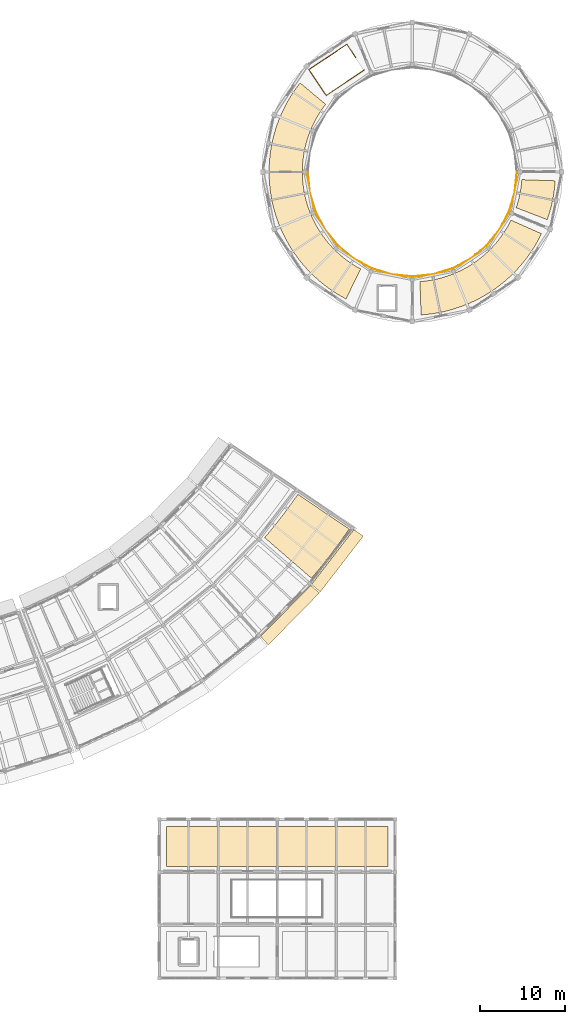
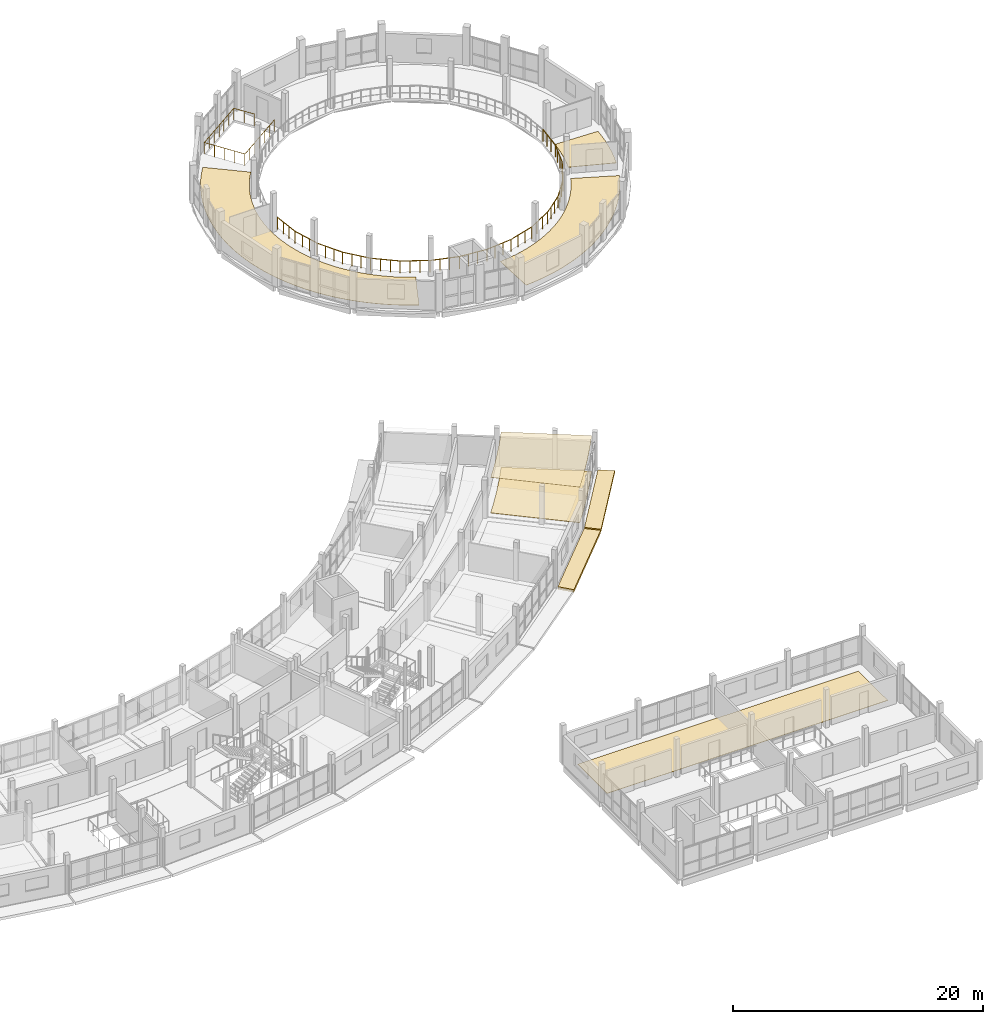
# One storey, part 76 of 77: 8 coverings, 2 railings.
"""IFC4 building model written with IfcOpenShell, lengths in metres."""

from ifc_helpers import new_model, si_unit, direction, frame, origin, origin_2d, place, context, subcontext, project, spatial, polyline, circle, outline, extrude, material, layer, layer_set, type_object, element, save


model = new_model("IFC4")

# Units and contexts
model_context = context("Model", 3, precision=1e-05, world=origin(), true_north=direction((0.0, 1.0)))
body_context = subcontext(model_context, "Body", "Model", "MODEL_VIEW")
ifc_project = project(units=[si_unit("LENGTHUNIT", "METRE"), si_unit("AREAUNIT", "SQUARE_METRE"), si_unit("VOLUMEUNIT", "CUBIC_METRE"), si_unit("PLANEANGLEUNIT", "RADIAN"), si_unit("MASSUNIT", "GRAM", prefix="KILO")], contexts=[model_context])

# Site, building, storey
site_placement = place(None, origin())
site = spatial("IfcSite", under=ifc_project, at=site_placement, CompositionType="ELEMENT")
building_placement = place(site_placement, origin())
building = spatial("IfcBuilding", under=site, at=building_placement, Name="Caldaven Crescent School", CompositionType="ELEMENT")
storey_placement = place(building_placement, frame((0.0, 0.0, 4.419921875)))
storey = spatial("IfcBuildingStorey", under=building, at=storey_placement, Name="L01", CompositionType="ELEMENT", Elevation=4.419921875)

# Coverings
ifc_material_1 = material(Name="White architectural GFRC precast concrete C35/45 cladding", Category="concrete")
ifc_layer_1 = layer(ifc_material_1, 0.260009765625)
ifc_layer_set_1 = layer_set([ifc_layer_1], Name="White architectural GFRC precast concrete C35/45 cladding")
covering_type_1 = type_object("IfcCoveringType", Name="COV-CLD2", PredefinedType="CLADDING", material=ifc_layer_set_1)
covering_1_placement = place(storey_placement, frame((0.0, 0.0, -0.260009765625)))
element("IfcCovering", 1, at=covering_1_placement, inside=storey, type_object=covering_type_1, Name="CLD-OUT-L01-030", PredefinedType="CLADDING", context=body_context, shape_type="SweptSolid", body=[
    extrude(outline(polyline([(134.759521484375, 44.177490234375), (140.630859375, 50.15185546875), (141.648681640625, 49.26513671875), (135.6640625, 43.175048828125), (134.759521484375, 44.177490234375)])), origin(), (0.0, 0.0, 1.0), 0.260009765625),
])
covering_2_placement = place(storey_placement, frame((0.0, 0.0, -0.260009765625)))
element("IfcCovering", 2, at=covering_2_placement, inside=storey, type_object=covering_type_1, Name="CLD-OUT-L01-032", PredefinedType="CLADDING", context=body_context, shape_type="SweptSolid", body=[
    extrude(outline(polyline([(140.7265625, 50.26220703125), (145.665283203125, 56.671142578125), (146.780517578125, 55.910400390625), (141.746337890625, 49.377685546875), (140.7265625, 50.26220703125)])), origin(), (0.0, 0.0, 1.0), 0.260009765625),
])
ifc_material_2 = material(Name="Perforated Pino Radiata acoustic timber baffle ceiling", Category="wood")
ifc_layer_2 = layer(ifc_material_2, 0.030029296875)
ifc_layer_set_2 = layer_set([ifc_layer_2], Name="Perforated Pino Radiata acoustic timber baffle ceiling")
covering_type_2 = type_object("IfcCoveringType", Name="COV-CLG1", PredefinedType="CEILING", material=ifc_layer_set_2)
covering_3_placement = place(storey_placement, frame((0.0, 0.0, 3.4599609375)))
element("IfcCovering", 3, at=covering_3_placement, inside=storey, type_object=covering_type_2, Name="CLG-L01-140", PredefinedType="CEILING", context=body_context, shape_type="SweptSolid", body=[
    extrude(outline(polyline([(136.107421875, 56.778076171875), (136.11572265625, 56.788330078125), (137.2392578125, 58.208984375), (137.247314453125, 58.219482421875), (138.328857421875, 59.672607421875), (138.33642578125, 59.68310546875), (139.12060546875, 60.80419921875), (145.1298828125, 56.730712890625), (144.2197265625, 55.429443359375), (143.003173828125, 53.794677734375), (141.739013671875, 52.1962890625), (140.7177734375, 50.980224609375), (135.227783203125, 55.730712890625), (136.107421875, 56.778076171875)])), origin(), (0.0, 0.0, 1.0), 0.030029296875),
])
ifc_material_3 = material(Name="Polished terrazzo and acoustic linoleum flooring")
ifc_layer_3 = layer(ifc_material_3, 0.02001953125)
ifc_layer_set_3 = layer_set([ifc_layer_3], Name="Polished terrazzo and acoustic linoleum flooring")
covering_type_3 = type_object("IfcCoveringType", Name="COV-FLR1", PredefinedType="FLOORING", material=ifc_layer_set_3)
covering_4_placement = place(storey_placement, origin())
element("IfcCovering", 4, at=covering_4_placement, inside=storey, type_object=covering_type_3, Name="FLR-L01-012", PredefinedType="FLOORING", context=body_context, shape_type="SweptSolid", body=[
    extrude(outline(polyline([(142.373291015625, 106.409912109375), (142.369384765625, 106.405029296875), (142.10888671875, 106.059326171875), (142.099609375, 106.046630859375), (141.851318359375, 105.692138671875), (141.842529296875, 105.67919921875), (141.606689453125, 105.316162109375), (141.598388671875, 105.302734375), (141.37548828125, 104.931884765625), (141.36767578125, 104.918212890625), (141.15771484375, 104.53955078125), (141.150390625, 104.525634765625), (140.9541015625, 104.139892578125), (140.947265625, 104.1259765625), (140.76416015625, 103.733642578125), (140.7578125, 103.71923828125), (140.588623046875, 103.32080078125), (140.582763671875, 103.306396484375), (140.427734375, 102.90234375), (140.42236328125, 102.8876953125), (140.281494140625, 102.478271484375), (140.276611328125, 102.46337890625), (140.150146484375, 102.04931640625), (140.145751953125, 102.034423828125), (140.03369140625, 101.6162109375), (140.02978515625, 101.60107421875), (139.9326171875, 101.17919921875), (139.92919921875, 101.1640625), (139.8466796875, 100.739013671875), (139.843994140625, 100.7236328125), (139.776123046875, 100.296142578125), (139.774169921875, 100.280517578125), (139.72119140625, 99.85107421875), (139.719482421875, 99.83544921875), (139.681884765625, 99.404296875), (139.680908203125, 99.388427734375), (139.658203125, 98.956298828125), (139.65771484375, 98.940673828125), (139.650146484375, 98.5078125), (139.650146484375, 98.4921875), (139.65771484375, 98.059326171875), (139.658203125, 98.043701171875), (139.680908203125, 97.611572265625), (139.681884765625, 97.595703125), (139.719482421875, 97.16455078125), (139.72119140625, 97.14892578125), (139.774169921875, 96.719482421875), (139.776123046875, 96.703857421875), (139.843994140625, 96.2763671875), (139.8466796875, 96.260986328125), (139.92919921875, 95.8359375), (139.9326171875, 95.82080078125), (140.02978515625, 95.39892578125), (140.03369140625, 95.3837890625), (140.145751953125, 94.965576171875), (140.150146484375, 94.95068359375), (140.276611328125, 94.53662109375), (140.281494140625, 94.521728515625), (140.42236328125, 94.1123046875), (140.427734375, 94.09765625), (140.582763671875, 93.693603515625), (140.588623046875, 93.67919921875), (140.7578125, 93.28076171875), (140.76416015625, 93.266357421875), (140.947265625, 92.8740234375), (140.9541015625, 92.860107421875), (141.150390625, 92.474365234375), (141.15771484375, 92.46044921875), (141.36767578125, 92.081787109375), (141.37548828125, 92.068115234375), (141.598388671875, 91.697265625), (141.606689453125, 91.683837890625), (141.842529296875, 91.32080078125), (141.851318359375, 91.307861328125), (142.099609375, 90.953369140625), (142.10888671875, 90.940673828125), (142.369384765625, 90.594970703125), (142.37890625, 90.582763671875), (142.651123046875, 90.246337890625), (142.661376953125, 90.234130859375), (142.9453125, 89.907470703125), (142.955810546875, 89.89599609375), (143.251220703125, 89.579345703125), (143.261962890625, 89.568115234375), (143.568115234375, 89.261962890625), (143.579345703125, 89.251220703125), (143.89599609375, 88.955810546875), (143.907470703125, 88.9453125), (144.234130859375, 88.661376953125), (144.246337890625, 88.651123046875), (144.582763671875, 88.37890625), (144.594970703125, 88.369384765625), (144.940673828125, 88.10888671875), (144.953369140625, 88.099609375), (145.307861328125, 87.851318359375), (145.32080078125, 87.842529296875), (145.683837890625, 87.606689453125), (145.697265625, 87.598388671875), (146.068115234375, 87.37548828125), (146.081787109375, 87.36767578125), (146.46044921875, 87.157958984375), (146.466064453125, 87.155029296875), (144.75634765625, 83.649658203125), (144.636474609375, 83.710693359375), (144.125, 83.994140625), (143.623779296875, 84.29541015625), (143.133544921875, 84.61376953125), (142.654541015625, 84.948974609375), (142.187744140625, 85.30078125), (141.7333984375, 85.668701171875), (141.292236328125, 86.052490234375), (140.864501953125, 86.451171875), (140.451171875, 86.864501953125), (140.052490234375, 87.292236328125), (139.668701171875, 87.7333984375), (139.30078125, 88.187744140625), (138.948974609375, 88.654541015625), (138.61376953125, 89.133544921875), (138.29541015625, 89.623779296875), (137.994140625, 90.125), (137.710693359375, 90.636474609375), (137.4453125, 91.1572265625), (137.1982421875, 91.687255859375), (136.9697265625, 92.225341796875), (136.76025390625, 92.771240234375), (136.56982421875, 93.323974609375), (136.39892578125, 93.883056640625), (136.24755859375, 94.44775390625), (136.1162109375, 95.017578125), (136.00439453125, 95.591552734375), (135.9130859375, 96.168701171875), (135.841796875, 96.7490234375), (135.791015625, 97.33154296875), (135.76025390625, 97.915283203125), (135.75, 98.5), (135.76025390625, 99.084716796875), (135.791015625, 99.66845703125), (135.841796875, 100.2509765625), (135.9130859375, 100.831298828125), (136.00439453125, 101.408447265625), (136.1162109375, 101.982421875), (136.24755859375, 102.55224609375), (136.39892578125, 103.116943359375), (136.56982421875, 103.676025390625), (136.76025390625, 104.228759765625), (136.9697265625, 104.774658203125), (137.1982421875, 105.312744140625), (137.4453125, 105.8427734375), (137.710693359375, 106.363525390625), (137.994140625, 106.875), (138.29541015625, 107.376220703125), (138.61376953125, 107.866455078125), (138.948974609375, 108.345458984375), (139.30078125, 108.812255859375), (139.385498046875, 108.9169921875), (142.373291015625, 106.409912109375)])), origin(), (0.0, 0.0, 1.0), 0.02001953125),
])
ifc_layer_4 = layer(ifc_material_3, 0.02587890625)
ifc_layer_set_4 = layer_set([ifc_layer_4], Name="Polished terrazzo and acoustic linoleum flooring")
covering_type_4 = type_object("IfcCoveringType", Name="COV-FLR2", PredefinedType="FLOORING", material=ifc_layer_set_4)
covering_5_placement = place(storey_placement, origin())
element("IfcCovering", 5, at=covering_5_placement, inside=storey, type_object=covering_type_4, Name="FLR-L01-013", PredefinedType="FLOORING", context=body_context, shape_type="SweptSolid", body=[
    extrude(outline(polyline([(153.39794921875, 85.681396484375), (153.404296875, 85.681884765625), (153.83544921875, 85.719482421875), (153.85107421875, 85.72119140625), (154.280517578125, 85.774169921875), (154.296142578125, 85.776123046875), (154.7236328125, 85.843994140625), (154.739013671875, 85.8466796875), (155.1640625, 85.92919921875), (155.17919921875, 85.9326171875), (155.60107421875, 86.02978515625), (155.6162109375, 86.03369140625), (156.034423828125, 86.145751953125), (156.04931640625, 86.150146484375), (156.46337890625, 86.276611328125), (156.478271484375, 86.281494140625), (156.8876953125, 86.42236328125), (156.90234375, 86.427734375), (157.306396484375, 86.582763671875), (157.32080078125, 86.588623046875), (157.71923828125, 86.7578125), (157.733642578125, 86.76416015625), (158.1259765625, 86.947265625), (158.14013671875, 86.9541015625), (158.525634765625, 87.150634765625), (158.53955078125, 87.157958984375), (158.918212890625, 87.36767578125), (158.931884765625, 87.37548828125), (159.302734375, 87.598388671875), (159.316162109375, 87.606689453125), (159.67919921875, 87.842529296875), (159.692138671875, 87.851318359375), (160.046630859375, 88.099609375), (160.059326171875, 88.10888671875), (160.405029296875, 88.369384765625), (160.417236328125, 88.37890625), (160.753662109375, 88.651123046875), (160.765869140625, 88.661376953125), (161.092529296875, 88.9453125), (161.10400390625, 88.955810546875), (161.420654296875, 89.251220703125), (161.431884765625, 89.261962890625), (161.738037109375, 89.568115234375), (161.748779296875, 89.579345703125), (162.044189453125, 89.89599609375), (162.0546875, 89.907470703125), (162.338623046875, 90.234130859375), (162.348876953125, 90.246337890625), (162.62109375, 90.582763671875), (162.630615234375, 90.594970703125), (162.89111328125, 90.940673828125), (162.900390625, 90.953369140625), (163.148681640625, 91.307861328125), (163.157470703125, 91.32080078125), (163.393310546875, 91.683837890625), (163.401611328125, 91.697265625), (163.62451171875, 92.068115234375), (163.63232421875, 92.081787109375), (163.84228515625, 92.46044921875), (163.849609375, 92.474365234375), (164.0458984375, 92.860107421875), (164.048583984375, 92.865478515625), (167.611572265625, 91.279296875), (167.5546875, 91.1572265625), (167.289306640625, 90.636474609375), (167.005859375, 90.125), (166.70458984375, 89.623779296875), (166.38623046875, 89.133544921875), (166.051025390625, 88.654541015625), (165.69921875, 88.187744140625), (165.331298828125, 87.7333984375), (164.947509765625, 87.292236328125), (164.548828125, 86.864501953125), (164.135498046875, 86.451171875), (163.707763671875, 86.052490234375), (163.2666015625, 85.668701171875), (162.812255859375, 85.30078125), (162.345458984375, 84.948974609375), (161.866455078125, 84.61376953125), (161.376220703125, 84.29541015625), (160.875, 83.994140625), (160.363525390625, 83.710693359375), (159.8427734375, 83.4453125), (159.312744140625, 83.1982421875), (158.774658203125, 82.9697265625), (158.228759765625, 82.76025390625), (157.676025390625, 82.56982421875), (157.116943359375, 82.39892578125), (156.55224609375, 82.24755859375), (155.982421875, 82.1162109375), (155.408447265625, 82.00439453125), (154.831298828125, 81.9130859375), (154.2509765625, 81.841796875), (153.66845703125, 81.791015625), (153.533935546875, 81.78369140625), (153.39794921875, 85.681396484375)])), origin(), (0.0, 0.0, 1.0), 0.026123046875),
])
ifc_layer_5 = layer(ifc_material_3, 0.031982421875)
ifc_layer_set_5 = layer_set([ifc_layer_5], Name="Polished terrazzo and acoustic linoleum flooring")
covering_type_5 = type_object("IfcCoveringType", Name="COV-FLR3", PredefinedType="FLOORING", material=ifc_layer_set_5)
covering_6_placement = place(storey_placement, origin())
element("IfcCovering", 6, at=covering_6_placement, inside=storey, type_object=covering_type_5, Name="FLR-L01-014", PredefinedType="FLOORING", context=body_context, shape_type="SweptSolid", body=[
    extrude(outline(polyline([(164.650146484375, 94.318115234375), (164.773193359375, 94.693115234375), (164.777587890625, 94.70751953125), (164.892578125, 95.102294921875), (164.896484375, 95.116455078125), (164.998291015625, 95.514892578125), (165.001708984375, 95.529296875), (165.090576171875, 95.9306640625), (165.093505859375, 95.9453125), (165.168701171875, 96.349609375), (165.17138671875, 96.364501953125), (165.233154296875, 96.77099609375), (165.235107421875, 96.78564453125), (165.283447265625, 97.194091796875), (165.284912109375, 97.208740234375), (165.318359375, 97.60205078125), (169.216552734375, 97.4658203125), (169.211181640625, 97.360595703125), (169.1640625, 96.807373046875), (169.098876953125, 96.255615234375), (169.015380859375, 95.706787109375), (168.913818359375, 95.16064453125), (168.7939453125, 94.6181640625), (168.65625, 94.080078125), (168.5009765625, 93.546875), (168.327880859375, 93.019287109375), (168.291748046875, 92.920166015625), (164.650146484375, 94.318115234375)])), origin(), (0.0, 0.0, 1.0), 0.031982421875),
])
covering_7_placement = place(storey_placement, origin())
element("IfcCovering", 7, at=covering_7_placement, inside=storey, type_object=covering_type_5, Name="FLR-L01-038", PredefinedType="FLOORING", context=body_context, shape_type="SweptSolid", body=[
    extrude(outline(polyline([(123.75, 21.949951171875), (149.64990234375, 21.949951171875), (149.64990234375, 17.25), (123.75, 17.25), (123.75, 21.949951171875)])), origin(), (0.0, 0.0, 1.0), 0.031982421875),
])
covering_8_placement = place(storey_placement, origin())
element("IfcCovering", 8, at=covering_8_placement, inside=storey, type_object=covering_type_5, Name="FLR-L01-140", PredefinedType="FLOORING", context=body_context, shape_type="SweptSolid", body=[
    extrude(outline(polyline([(135.227783203125, 55.730712890625), (136.107421875, 56.778076171875), (136.11572265625, 56.788330078125), (137.2392578125, 58.208984375), (137.247314453125, 58.219482421875), (138.328857421875, 59.672607421875), (138.33642578125, 59.68310546875), (139.12060546875, 60.80419921875), (145.1298828125, 56.730712890625), (144.2197265625, 55.429443359375), (143.003173828125, 53.794677734375), (141.739013671875, 52.1962890625), (140.7177734375, 50.980224609375), (135.227783203125, 55.730712890625)])), origin(), (0.0, 0.0, 1.0), 0.031982421875),
])

# Railings
ifc_material_4 = material(Name="Powder-coated tubular steel balustrade ASTM A572 Grade 50", Category="steel")
railing_type_1 = type_object("IfcRailingType", Name="RAL-INT3", PredefinedType="BALUSTRADE", material=ifc_material_4)
railing_1_placement = place(storey_placement, frame((145.8671875, 111.904052734375, 0.0)))
element("IfcRailing", 9, at=railing_1_placement, inside=storey, type_object=railing_type_1, Name="GD-WELL-STV1-L01", PredefinedType="BALUSTRADE", context=body_context, shape_type="SweptSolid", body=[
    extrude(circle(Radius=0.02392578125, at=origin_2d()), frame((0.0, 0.0, 1.1259765625), z_axis=(-0.555561998677, 0.831475114255, 0.0), x_axis=(-0.831475114255, -0.555561998677, 0.0)), (0.0, 0.0, 1.0), 1.829833984375),
    extrude(circle(Radius=0.02392578125, at=origin_2d()), frame((-1.0166015625, 1.521484375, 1.1259765625), z_axis=(-0.831485247329, -0.555546832836, 0.0), x_axis=(0.555546832836, -0.831485247329, 0.0)), (0.0, 0.0, 1.0), 5.32177734375),
    extrude(circle(Radius=0.02392578125, at=origin_2d()), frame((-5.441650390625, -1.43505859375, 1.1259765625), z_axis=(0.555571425343, -0.831468815617, 0.0), x_axis=(0.831468815617, 0.555571425343, 0.0)), (0.0, 0.0, 1.0), 3.6201171875),
    extrude(circle(Radius=0.02392578125, at=origin_2d()), frame((-3.430419921875, -4.445068359375, 1.1259765625), z_axis=(0.831464056249, 0.555578548151, 0.0), x_axis=(-0.555578548151, 0.831464056249, 0.0)), (0.0, 0.0, 1.0), 5.322021484375),
    extrude(circle(Radius=0.02099609375, at=origin_2d()), origin(), (0.0, 0.0, 1.0), 1.101806640625),
    extrude(circle(Radius=0.02099609375, at=origin_2d()), frame((-0.50830078125, 0.7607421875, 0.0)), (0.0, 0.0, 1.0), 1.101806640625),
    extrude(circle(Radius=0.02099609375, at=origin_2d()), frame((-1.0166015625, 1.521484375, 0.0)), (0.0, 0.0, 1.0), 1.101806640625),
    extrude(circle(Radius=0.02099609375, at=origin_2d()), frame((-1.754150390625, 1.02880859375, 0.0)), (0.0, 0.0, 1.0), 1.101806640625),
    extrude(circle(Radius=0.02099609375, at=origin_2d()), frame((-2.49169921875, 0.535888671875, 0.0)), (0.0, 0.0, 1.0), 1.101806640625),
    extrude(circle(Radius=0.02099609375, at=origin_2d()), frame((-3.22900390625, 0.043212890625, 0.0)), (0.0, 0.0, 1.0), 1.101806640625),
    extrude(circle(Radius=0.02099609375, at=origin_2d()), frame((-3.966552734375, -0.449462890625, 0.0)), (0.0, 0.0, 1.0), 1.101806640625),
    extrude(circle(Radius=0.02099609375, at=origin_2d()), frame((-4.7041015625, -0.9423828125, 0.0)), (0.0, 0.0, 1.0), 1.101806640625),
    extrude(circle(Radius=0.02099609375, at=origin_2d()), frame((-5.441650390625, -1.43505859375, 0.0)), (0.0, 0.0, 1.0), 1.101806640625),
    extrude(circle(Radius=0.02099609375, at=origin_2d()), frame((-4.93896484375, -2.1875, 0.0)), (0.0, 0.0, 1.0), 1.101806640625),
    extrude(circle(Radius=0.02099609375, at=origin_2d()), frame((-4.43603515625, -2.93994140625, 0.0)), (0.0, 0.0, 1.0), 1.101806640625),
    extrude(circle(Radius=0.02099609375, at=origin_2d()), frame((-3.93310546875, -3.692626953125, 0.0)), (0.0, 0.0, 1.0), 1.101806640625),
    extrude(circle(Radius=0.02099609375, at=origin_2d()), frame((-3.430419921875, -4.445068359375, 0.0)), (0.0, 0.0, 1.0), 1.101806640625),
    extrude(circle(Radius=0.02099609375, at=origin_2d()), frame((-2.69287109375, -3.9521484375, 0.0)), (0.0, 0.0, 1.0), 1.101806640625),
    extrude(circle(Radius=0.02099609375, at=origin_2d()), frame((-1.955322265625, -3.45947265625, 0.0)), (0.0, 0.0, 1.0), 1.101806640625),
    extrude(circle(Radius=0.02099609375, at=origin_2d()), frame((-1.2177734375, -2.966796875, 0.0)), (0.0, 0.0, 1.0), 1.101806640625),
    extrude(circle(Radius=0.02099609375, at=origin_2d()), frame((-0.48046875, -2.473876953125, 0.0)), (0.0, 0.0, 1.0), 1.101806640625),
    extrude(circle(Radius=0.02099609375, at=origin_2d()), frame((0.257080078125, -1.98095703125, 0.0)), (0.0, 0.0, 1.0), 1.101806640625),
    extrude(circle(Radius=0.02099609375, at=origin_2d()), frame((0.99462890625, -1.48828125, 0.0)), (0.0, 0.0, 1.0), 1.101806640625),
])
railing_type_2 = type_object("IfcRailingType", Name="RAL-INT4", PredefinedType="BALUSTRADE", material=ifc_material_4)
railing_2_placement = place(storey_placement, frame((140.262939453125, 98.47021484375, 0.0)))
element("IfcRailing", 10, at=railing_2_placement, inside=storey, type_object=railing_type_2, Name="GD-GAL-V1-L01-B", PredefinedType="BALUSTRADE", context=body_context, shape_type="SweptSolid", body=[
    extrude(circle(Radius=0.02392578125, at=origin_2d()), frame((0.0, 0.0, 1.15576171875), z_axis=(0.097983622936, -0.995188027277, 0.0), x_axis=(0.995188027277, 0.097983622936, 0.0)), (0.0, 0.0, 1.0), 2.36962890625),
    extrude(circle(Radius=0.02392578125, at=origin_2d()), frame((0.232177734375, -2.358154296875, 1.15576171875), z_axis=(0.290286954493, -0.956939644937, 0.0), x_axis=(0.956939644937, 0.290286954493, 0.0)), (0.0, 0.0, 1.0), 2.3994140625),
    extrude(circle(Radius=0.02392578125, at=origin_2d()), frame((0.9287109375, -4.654296875, 1.15576171875), z_axis=(0.471385457832, -0.881927293004, 0.0), x_axis=(0.881927293004, 0.471385457832, 0.0)), (0.0, 0.0, 1.0), 2.3994140625),
    extrude(circle(Radius=0.02392578125, at=origin_2d()), frame((2.059814453125, -6.7705078125, 1.15576171875), z_axis=(0.634411720209, -0.772995322923, 0.0), x_axis=(0.772995322923, 0.634411720209, 0.0)), (0.0, 0.0, 1.0), 2.3994140625),
    extrude(circle(Radius=0.02392578125, at=origin_2d()), frame((3.58203125, -8.625244140625, 1.15576171875), z_axis=(0.772995322923, -0.634411720209, 0.0), x_axis=(0.634411720209, 0.772995322923, 0.0)), (0.0, 0.0, 1.0), 2.3994140625),
    extrude(circle(Radius=0.02392578125, at=origin_2d()), frame((5.436767578125, -10.1474609375, 1.15576171875), z_axis=(0.881927293004, -0.471385457832, 0.0), x_axis=(0.471385457832, 0.881927293004, 0.0)), (0.0, 0.0, 1.0), 2.3994140625),
    extrude(circle(Radius=0.02392578125, at=origin_2d()), frame((7.552978515625, -11.278564453125, 1.15576171875), z_axis=(0.956939644937, -0.290286954493, 0.0), x_axis=(0.290286954493, 0.956939644937, 0.0)), (0.0, 0.0, 1.0), 2.3994140625),
    extrude(circle(Radius=0.02392578125, at=origin_2d()), frame((9.84912109375, -11.97509765625, 1.15576171875), z_axis=(0.995188144376, -0.097982433599, 0.0), x_axis=(0.097982433599, 0.995188144376, 0.0)), (0.0, 0.0, 1.0), 2.3994140625),
    extrude(circle(Radius=0.02392578125, at=origin_2d()), frame((12.237060546875, -12.210205078125, 1.15576171875), z_axis=(0.995188144376, 0.097982433599, 0.0), x_axis=(-0.097982433599, 0.995188144376, 0.0)), (0.0, 0.0, 1.0), 2.3994140625),
    extrude(circle(Radius=0.02392578125, at=origin_2d()), frame((14.625, -11.97509765625, 1.15576171875), z_axis=(0.956939644937, 0.290286954493, 0.0), x_axis=(-0.290286954493, 0.956939644937, 0.0)), (0.0, 0.0, 1.0), 2.3994140625),
    extrude(circle(Radius=0.02392578125, at=origin_2d()), frame((16.921142578125, -11.278564453125, 1.15576171875), z_axis=(0.881927293004, 0.471385457832, 0.0), x_axis=(-0.471385457832, 0.881927293004, 0.0)), (0.0, 0.0, 1.0), 2.3994140625),
    extrude(circle(Radius=0.02392578125, at=origin_2d()), frame((19.037353515625, -10.1474609375, 1.15576171875), z_axis=(0.772995322923, 0.634411720209, 0.0), x_axis=(-0.634411720209, 0.772995322923, 0.0)), (0.0, 0.0, 1.0), 2.3994140625),
    extrude(circle(Radius=0.02392578125, at=origin_2d()), frame((20.89208984375, -8.625244140625, 1.15576171875), z_axis=(0.634411720209, 0.772995322923, 0.0), x_axis=(-0.772995322923, 0.634411720209, 0.0)), (0.0, 0.0, 1.0), 2.3994140625),
    extrude(circle(Radius=0.02392578125, at=origin_2d()), frame((22.414306640625, -6.7705078125, 1.15576171875), z_axis=(0.471385457832, 0.881927293004, 0.0), x_axis=(-0.881927293004, 0.471385457832, 0.0)), (0.0, 0.0, 1.0), 2.3994140625),
    extrude(circle(Radius=0.02392578125, at=origin_2d()), frame((23.54541015625, -4.654296875, 1.15576171875), z_axis=(0.290286954493, 0.956939644937, 0.0), x_axis=(-0.956939644937, 0.290286954493, 0.0)), (0.0, 0.0, 1.0), 2.3994140625),
    extrude(circle(Radius=0.02392578125, at=origin_2d()), frame((24.241943359375, -2.358154296875, 1.15576171875), z_axis=(0.097983622936, 0.995188027277, 0.0), x_axis=(-0.995188027277, 0.097983622936, 0.0)), (0.0, 0.0, 1.0), 2.36962890625),
    extrude(circle(Radius=0.02099609375, at=origin_2d()), origin(), (0.0, 0.0, 1.0), 1.1318359375),
    extrude(circle(Radius=0.02099609375, at=origin_2d()), frame((0.077392578125, -0.7861328125, 0.0)), (0.0, 0.0, 1.0), 1.1318359375),
    extrude(circle(Radius=0.02099609375, at=origin_2d()), frame((0.15478515625, -1.572021484375, 0.0)), (0.0, 0.0, 1.0), 1.1318359375),
    extrude(circle(Radius=0.02099609375, at=origin_2d()), frame((0.232177734375, -2.358154296875, 0.0)), (0.0, 0.0, 1.0), 1.1318359375),
    extrude(circle(Radius=0.02099609375, at=origin_2d()), frame((0.46435546875, -3.12353515625, 0.0)), (0.0, 0.0, 1.0), 1.1318359375),
    extrude(circle(Radius=0.02099609375, at=origin_2d()), frame((0.696533203125, -3.888916015625, 0.0)), (0.0, 0.0, 1.0), 1.1318359375),
    extrude(circle(Radius=0.02099609375, at=origin_2d()), frame((0.9287109375, -4.654296875, 0.0)), (0.0, 0.0, 1.0), 1.1318359375),
    extrude(circle(Radius=0.02099609375, at=origin_2d()), frame((1.3056640625, -5.359619140625, 0.0)), (0.0, 0.0, 1.0), 1.1318359375),
    extrude(circle(Radius=0.02099609375, at=origin_2d()), frame((1.682861328125, -6.065185546875, 0.0)), (0.0, 0.0, 1.0), 1.1318359375),
    extrude(circle(Radius=0.02099609375, at=origin_2d()), frame((2.059814453125, -6.7705078125, 0.0)), (0.0, 0.0, 1.0), 1.1318359375),
    extrude(circle(Radius=0.02099609375, at=origin_2d()), frame((2.567138671875, -7.388671875, 0.0)), (0.0, 0.0, 1.0), 1.1318359375),
    extrude(circle(Radius=0.02099609375, at=origin_2d()), frame((3.07470703125, -8.007080078125, 0.0)), (0.0, 0.0, 1.0), 1.1318359375),
    extrude(circle(Radius=0.02099609375, at=origin_2d()), frame((3.58203125, -8.625244140625, 0.0)), (0.0, 0.0, 1.0), 1.1318359375),
    extrude(circle(Radius=0.02099609375, at=origin_2d()), frame((4.2001953125, -9.132568359375, 0.0)), (0.0, 0.0, 1.0), 1.1318359375),
    extrude(circle(Radius=0.02099609375, at=origin_2d()), frame((4.818603515625, -9.64013671875, 0.0)), (0.0, 0.0, 1.0), 1.1318359375),
    extrude(circle(Radius=0.02099609375, at=origin_2d()), frame((5.436767578125, -10.1474609375, 0.0)), (0.0, 0.0, 1.0), 1.1318359375),
    extrude(circle(Radius=0.02099609375, at=origin_2d()), frame((6.14208984375, -10.5244140625, 0.0)), (0.0, 0.0, 1.0), 1.1318359375),
    extrude(circle(Radius=0.02099609375, at=origin_2d()), frame((6.84765625, -10.901611328125, 0.0)), (0.0, 0.0, 1.0), 1.1318359375),
    extrude(circle(Radius=0.02099609375, at=origin_2d()), frame((7.552978515625, -11.278564453125, 0.0)), (0.0, 0.0, 1.0), 1.1318359375),
    extrude(circle(Radius=0.02099609375, at=origin_2d()), frame((8.318359375, -11.5107421875, 0.0)), (0.0, 0.0, 1.0), 1.1318359375),
    extrude(circle(Radius=0.02099609375, at=origin_2d()), frame((9.083740234375, -11.742919921875, 0.0)), (0.0, 0.0, 1.0), 1.1318359375),
    extrude(circle(Radius=0.02099609375, at=origin_2d()), frame((9.84912109375, -11.97509765625, 0.0)), (0.0, 0.0, 1.0), 1.1318359375),
    extrude(circle(Radius=0.02099609375, at=origin_2d()), frame((10.64501953125, -12.053466796875, 0.0)), (0.0, 0.0, 1.0), 1.1318359375),
    extrude(circle(Radius=0.02099609375, at=origin_2d()), frame((11.441162109375, -12.1318359375, 0.0)), (0.0, 0.0, 1.0), 1.1318359375),
    extrude(circle(Radius=0.02099609375, at=origin_2d()), frame((12.237060546875, -12.210205078125, 0.0)), (0.0, 0.0, 1.0), 1.1318359375),
    extrude(circle(Radius=0.02099609375, at=origin_2d()), frame((13.032958984375, -12.1318359375, 0.0)), (0.0, 0.0, 1.0), 1.1318359375),
    extrude(circle(Radius=0.02099609375, at=origin_2d()), frame((13.8291015625, -12.053466796875, 0.0)), (0.0, 0.0, 1.0), 1.1318359375),
    extrude(circle(Radius=0.02099609375, at=origin_2d()), frame((14.625, -11.97509765625, 0.0)), (0.0, 0.0, 1.0), 1.1318359375),
    extrude(circle(Radius=0.02099609375, at=origin_2d()), frame((15.390380859375, -11.742919921875, 0.0)), (0.0, 0.0, 1.0), 1.1318359375),
    extrude(circle(Radius=0.02099609375, at=origin_2d()), frame((16.15576171875, -11.5107421875, 0.0)), (0.0, 0.0, 1.0), 1.1318359375),
    extrude(circle(Radius=0.02099609375, at=origin_2d()), frame((16.921142578125, -11.278564453125, 0.0)), (0.0, 0.0, 1.0), 1.1318359375),
    extrude(circle(Radius=0.02099609375, at=origin_2d()), frame((17.62646484375, -10.901611328125, 0.0)), (0.0, 0.0, 1.0), 1.1318359375),
    extrude(circle(Radius=0.02099609375, at=origin_2d()), frame((18.33203125, -10.5244140625, 0.0)), (0.0, 0.0, 1.0), 1.1318359375),
    extrude(circle(Radius=0.02099609375, at=origin_2d()), frame((19.037353515625, -10.1474609375, 0.0)), (0.0, 0.0, 1.0), 1.1318359375),
    extrude(circle(Radius=0.02099609375, at=origin_2d()), frame((19.655517578125, -9.64013671875, 0.0)), (0.0, 0.0, 1.0), 1.1318359375),
    extrude(circle(Radius=0.02099609375, at=origin_2d()), frame((20.27392578125, -9.132568359375, 0.0)), (0.0, 0.0, 1.0), 1.1318359375),
    extrude(circle(Radius=0.02099609375, at=origin_2d()), frame((20.89208984375, -8.625244140625, 0.0)), (0.0, 0.0, 1.0), 1.1318359375),
    extrude(circle(Radius=0.02099609375, at=origin_2d()), frame((21.3994140625, -8.007080078125, 0.0)), (0.0, 0.0, 1.0), 1.1318359375),
    extrude(circle(Radius=0.02099609375, at=origin_2d()), frame((21.906982421875, -7.388671875, 0.0)), (0.0, 0.0, 1.0), 1.1318359375),
    extrude(circle(Radius=0.02099609375, at=origin_2d()), frame((22.414306640625, -6.7705078125, 0.0)), (0.0, 0.0, 1.0), 1.1318359375),
    extrude(circle(Radius=0.02099609375, at=origin_2d()), frame((22.791259765625, -6.065185546875, 0.0)), (0.0, 0.0, 1.0), 1.1318359375),
    extrude(circle(Radius=0.02099609375, at=origin_2d()), frame((23.16845703125, -5.359619140625, 0.0)), (0.0, 0.0, 1.0), 1.1318359375),
    extrude(circle(Radius=0.02099609375, at=origin_2d()), frame((23.54541015625, -4.654296875, 0.0)), (0.0, 0.0, 1.0), 1.1318359375),
    extrude(circle(Radius=0.02099609375, at=origin_2d()), frame((23.777587890625, -3.888916015625, 0.0)), (0.0, 0.0, 1.0), 1.1318359375),
    extrude(circle(Radius=0.02099609375, at=origin_2d()), frame((24.009765625, -3.12353515625, 0.0)), (0.0, 0.0, 1.0), 1.1318359375),
    extrude(circle(Radius=0.02099609375, at=origin_2d()), frame((24.241943359375, -2.358154296875, 0.0)), (0.0, 0.0, 1.0), 1.1318359375),
    extrude(circle(Radius=0.02099609375, at=origin_2d()), frame((24.3193359375, -1.572021484375, 0.0)), (0.0, 0.0, 1.0), 1.1318359375),
    extrude(circle(Radius=0.02099609375, at=origin_2d()), frame((24.396728515625, -0.7861328125, 0.0)), (0.0, 0.0, 1.0), 1.1318359375),
    extrude(circle(Radius=0.02099609375, at=origin_2d()), frame((24.47412109375, 0.0, 0.0)), (0.0, 0.0, 1.0), 1.1318359375),
])

save(model, "model.ifc")
